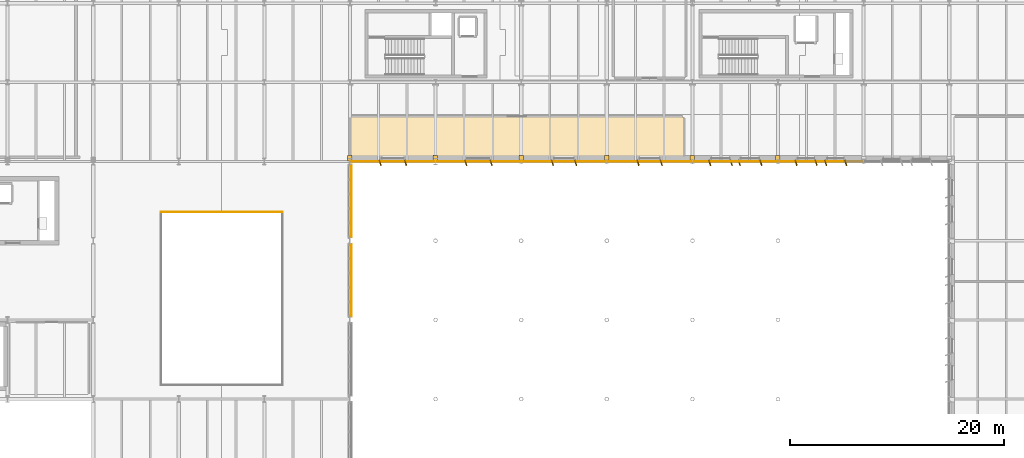
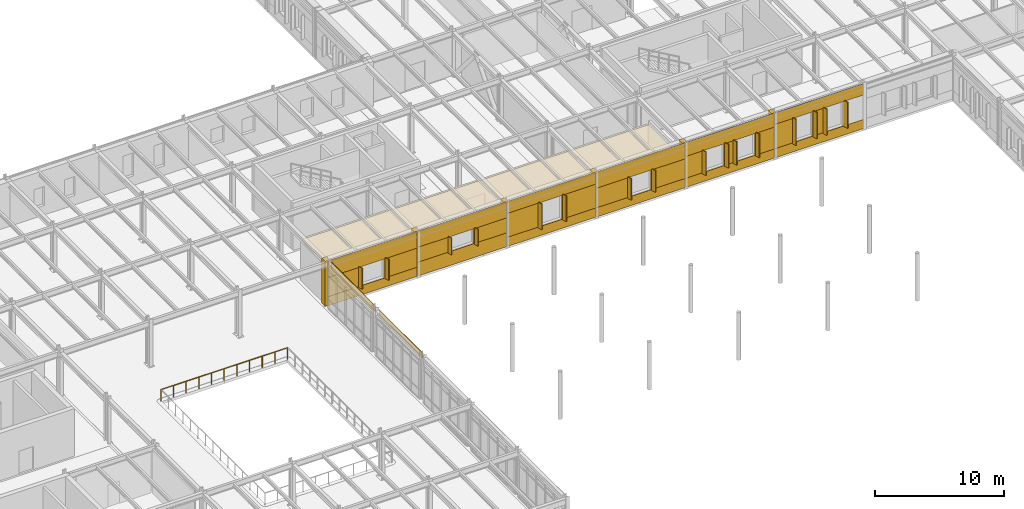
# One storey, part 61 of 75: 50 coverings, 1 railing.
"""IFC4 building model written with IfcOpenShell, lengths in metres."""

import ifcopenshell
import ifcopenshell.guid

model = None  # the IFC model being written
_history = None  # IfcOwnerHistory: only IFC2X3 demands one
_inside = {}  # id of a spatial element -> (the spatial element, [elements in it])
_under = {}  # id of a project, library or spatial element -> (it, [spatial elements below it])
_declared = {}  # id of a project -> (the project, [libraries it declares])
_typed = {}  # id of a type object -> (the type object, [elements of that type])
_made_of = {}  # id of a material, layer set ... -> (it, [elements and type objects made of it])


def new_model(schema):
    """Start an empty IFC model of exactly this schema.

    Asked for "IFC4X3", IfcOpenShell would pick the latest addendum, in which some entities
    have other attributes; the version numbers below select the first issue.
    IFC2X3 requires an IfcOwnerHistory on every rooted entity: one is made here for all.
    """
    global model, _history
    if schema == "IFC4X3":
        model = ifcopenshell.file(schema_version=(4, 3, 0, 0))
    else:
        model = ifcopenshell.file(schema=schema)
    _inside.clear()
    _under.clear()
    _declared.clear()
    _typed.clear()
    _made_of.clear()
    _history = None
    if model.schema == "IFC2X3":
        org = make("IfcOrganization", Name="unknown")
        user = make(
            "IfcPersonAndOrganization",
            ThePerson=make("IfcPerson", FamilyName="unknown"),
            TheOrganization=org,
        )
        app = make(
            "IfcApplication",
            ApplicationDeveloper=org,
            Version="unknown",
            ApplicationFullName="unknown",
            ApplicationIdentifier="unknown",
        )
        _history = make(
            "IfcOwnerHistory",
            OwningUser=user,
            OwningApplication=app,
            ChangeAction="ADDED",
            CreationDate=0,
        )
    return model


def make(cls, **values):
    """One entity of the class cls with the attributes given. An attribute that is None is left unset."""
    return model.create_entity(
        cls, **{name: value for name, value in values.items() if value is not None}
    )


def rooted(cls, **values):
    """An entity with a GlobalId (a new one), such as an element, a storey or a relation."""
    return make(cls, GlobalId=ifcopenshell.guid.new(), OwnerHistory=_history, **values)


def si_unit(unit_type, name, prefix=None):
    """IfcSIUnit, for example si_unit("LENGTHUNIT", "METRE", prefix="MILLI")."""
    return make("IfcSIUnit", UnitType=unit_type, Prefix=prefix, Name=name)


def assignment(units):
    """IfcUnitAssignment: the units of a project."""
    return None if units is None else make("IfcUnitAssignment", Units=units)


def point(xyz):
    """IfcCartesianPoint."""
    return None if xyz is None else make("IfcCartesianPoint", Coordinates=xyz)


def direction(xyz):
    """IfcDirection."""
    return None if xyz is None else make("IfcDirection", DirectionRatios=xyz)


def frame(location, z_axis=None, x_axis=None):
    """IfcAxis2Placement3D, a coordinate frame: its origin and axes. An axis left out is left unset."""
    return make(
        "IfcAxis2Placement3D",
        Location=point(location),
        Axis=direction(z_axis),
        RefDirection=direction(x_axis),
    )


def frame_2d(location, x_axis=None):
    """IfcAxis2Placement2D, a coordinate frame in the plane: its origin and x axis."""
    return make(
        "IfcAxis2Placement2D", Location=point(location), RefDirection=direction(x_axis)
    )


def origin():
    """The frame at (0, 0, 0) with its axes left unset."""
    return frame((0.0, 0.0, 0.0))


def origin_2d():
    """The frame at (0, 0) in the plane with its x axis left unset."""
    return frame_2d((0.0, 0.0))


def place(relative_to, where):
    """IfcLocalPlacement: puts the frame where relative to a parent placement (None: the world)."""
    return make(
        "IfcLocalPlacement", PlacementRelTo=relative_to, RelativePlacement=where
    )


def context(
    kind, dimensions, precision=None, world=None, true_north=None, identifier=None
):
    """IfcGeometricRepresentationContext, for example the 3D "Model" context."""
    return make(
        "IfcGeometricRepresentationContext",
        ContextIdentifier=identifier,
        ContextType=kind,
        CoordinateSpaceDimension=dimensions,
        Precision=precision,
        WorldCoordinateSystem=world,
        TrueNorth=true_north,
    )


def subcontext(parent, identifier, kind, view, scale=None):
    """IfcGeometricRepresentationSubContext, for example "Body" below "Model"."""
    return make(
        "IfcGeometricRepresentationSubContext",
        ContextIdentifier=identifier,
        ContextType=kind,
        ParentContext=parent,
        TargetScale=scale,
        TargetView=view,
    )


def project(units=None, contexts=None):
    """IfcProject with its units and contexts."""
    return rooted(
        "IfcProject",
        Name="project",
        RepresentationContexts=contexts,
        UnitsInContext=assignment(units),
    )


def spatial(cls, under=None, at=None, **own):
    """A site, building, storey or space (cls), placed at a placement, below another one or the project."""
    s = rooted(cls, ObjectPlacement=at, **own)
    if under is not None:
        _under.setdefault(under.id(), (under, []))[1].append(s)
    return s


def polyline(points):
    """IfcPolyline through the points."""
    return make("IfcPolyline", Points=[point(p) for p in points])


def profile(cls, at=None, kind="AREA", **sizes):
    """A parametric profile (cls). Its sizes go by their IFC names, for example OverallWidth=200.0."""
    return make(cls, ProfileType=kind, Position=at, **sizes)


def rectangle(**sizes):
    """IfcRectangleProfileDef."""
    return profile("IfcRectangleProfileDef", **sizes)


def circle(**sizes):
    """IfcCircleProfileDef."""
    return profile("IfcCircleProfileDef", **sizes)


def outline(outer, holes=None, kind="AREA"):
    """IfcArbitraryClosedProfileDef: a profile drawn as a closed curve; with holes, ...WithVoids."""
    if holes is None:
        return make("IfcArbitraryClosedProfileDef", ProfileType=kind, OuterCurve=outer)
    return make(
        "IfcArbitraryProfileDefWithVoids",
        ProfileType=kind,
        OuterCurve=outer,
        InnerCurves=holes,
    )


def extrude(swept, where, along, depth):
    """IfcExtrudedAreaSolid: the profile swept, set in the frame where, extruded along a direction by depth."""
    return make(
        "IfcExtrudedAreaSolid",
        SweptArea=swept,
        Position=where,
        ExtrudedDirection=direction(along),
        Depth=depth,
    )


def shape(context_of_items, identifier, shape_type, items):
    """IfcShapeRepresentation: the items that make up one representation, for example the "Body"."""
    return make(
        "IfcShapeRepresentation",
        ContextOfItems=context_of_items,
        RepresentationIdentifier=identifier,
        RepresentationType=shape_type,
        Items=items,
    )


def material(Name=None, Category=None):
    """IfcMaterial."""
    return make("IfcMaterial", Name=Name, Category=Category)


def layer(
    of_material, thickness, ventilated=None, Name=None, Category=None, Priority=None
):
    """IfcMaterialLayer: one layer of a wall or slab, of a material (None: an air gap)."""
    return make(
        "IfcMaterialLayer",
        Material=of_material,
        LayerThickness=thickness,
        IsVentilated=ventilated,
        Name=Name,
        Category=Category,
        Priority=Priority,
    )


def layer_set(layers, Name=None):
    """IfcMaterialLayerSet."""
    return make("IfcMaterialLayerSet", MaterialLayers=layers, LayerSetName=Name)


def made_of(thing, what):
    """Note that an element or type object is made of a material, layer set ...; save() writes the relation."""
    if what is not None:
        _made_of.setdefault(what.id(), (what, []))[1].append(thing)
    return thing


def type_object(cls, material=None, **own):
    """A type object (cls), such as IfcWallType, which elements share."""
    return made_of(rooted(cls, **own), material)


def element(
    cls,
    number,
    at=None,
    inside=None,
    cuts=None,
    type_object=None,
    material=None,
    context=None,
    identifier="Body",
    shape_type=None,
    held_by="IfcProductDefinitionShape",
    body=None,
    shapes=None,
    **own,
):
    """One element of the class cls, such as IfcWall. Its Tag is "e" and its number.

    at: its placement. inside: the storey or other place that contains it. cuts: it is an
    opening in that element (IfcRelVoidsElement). A single representation is given by context,
    identifier, shape_type and body (its items); several are given by shapes. held_by: the class
    of the entity that holds the representations. save() writes the other relations.
    """
    e = rooted(cls, Tag="e%d" % number, ObjectPlacement=at, **own)
    if body is not None:
        shapes = [shape(context, identifier, shape_type, body)]
    if shapes is not None:
        e.Representation = make(held_by, Representations=shapes)
    if inside is not None:
        _inside.setdefault(inside.id(), (inside, []))[1].append(e)
    if cuts is not None:
        rooted(
            "IfcRelVoidsElement", RelatingBuildingElement=cuts, RelatedOpeningElement=e
        )
    if type_object is not None:
        _typed.setdefault(type_object.id(), (type_object, []))[1].append(e)
    return made_of(e, material)


def aggregate(whole, parts):
    """IfcRelAggregates: a whole, such as a stair, and the parts it consists of."""
    return rooted("IfcRelAggregates", RelatingObject=whole, RelatedObjects=parts)


def save(model, path):
    """Write the relations noted so far, then the file.

    IfcRelAggregates (storeys below a building ...), IfcRelContainedInSpatialStructure (elements
    in a storey), IfcRelDefinesByType, IfcRelAssociatesMaterial and IfcRelDeclares: one each for
    every whole, place, type object, material and project.
    """
    for whole, parts in _under.values():
        aggregate(whole, parts)
    for where, things in _inside.values():
        rooted(
            "IfcRelContainedInSpatialStructure",
            RelatedElements=things,
            RelatingStructure=where,
        )
    for kind, things in _typed.values():
        rooted("IfcRelDefinesByType", RelatedObjects=things, RelatingType=kind)
    for what, things in _made_of.values():
        rooted("IfcRelAssociatesMaterial", RelatedObjects=things, RelatingMaterial=what)
    for by, libraries in _declared.values():
        rooted("IfcRelDeclares", RelatingContext=by, RelatedDefinitions=libraries)
    model.write(path)


model = new_model("IFC4")

# Units and contexts
model_context = context("Model", 3, precision=1e-05, world=origin(), true_north=direction((0.0, 1.0)))
body_context = subcontext(model_context, "Body", "Model", "MODEL_VIEW")
ifc_project = project(units=[si_unit("LENGTHUNIT", "METRE"), si_unit("AREAUNIT", "SQUARE_METRE"), si_unit("VOLUMEUNIT", "CUBIC_METRE"), si_unit("PLANEANGLEUNIT", "RADIAN"), si_unit("MASSUNIT", "GRAM", prefix="KILO")], contexts=[model_context])

# Site, building, storey
site_placement = place(None, origin())
site = spatial("IfcSite", under=ifc_project, at=site_placement, CompositionType="ELEMENT")
building_placement = place(site_placement, origin())
building = spatial("IfcBuilding", under=site, at=building_placement, Name="Valkorina Park Police Headquarters", CompositionType="ELEMENT")
storey_placement = place(building_placement, frame((0.0, 0.0, 5.39990234375)))
storey = spatial("IfcBuildingStorey", under=building, at=storey_placement, Name="L02", CompositionType="ELEMENT", Elevation=5.39990234375)

# Coverings
ifc_material_1 = material(Name="Acoustic mineral board")
ifc_layer_1 = layer(ifc_material_1, 0.02490234375)
ifc_layer_set_1 = layer_set([ifc_layer_1], Name="Acoustic mineral board")
covering_type_1 = type_object("IfcCoveringType", Name="COV-CEILING-ACOUST", PredefinedType="CEILING", material=ifc_layer_set_1)
covering_1_placement = place(storey_placement, frame((0.0, 0.0, 3.72509765625)))
element("IfcCovering", 1, at=covering_1_placement, inside=storey, type_object=covering_type_1, Name="Modular Dual-Bus UPS Suite A and B Acoustic Suspended Ceiling", PredefinedType="CEILING", context=body_context, shape_type="SweptSolid", body=[
    extrude(outline(polyline([(111.95849609375, 59.704345703125), (111.959716796875, 59.712158203125), (111.9599609375, 59.719970703125), (111.9599609375, 63.280029296875), (111.959716796875, 63.287841796875), (111.95849609375, 63.295654296875), (111.95654296875, 63.30322265625), (111.953857421875, 63.310546875), (111.95068359375, 63.317626953125), (111.946533203125, 63.324462890625), (111.94189453125, 63.330810546875), (111.9365234375, 63.336669921875), (111.930908203125, 63.341796875), (111.92431640625, 63.346435546875), (111.917724609375, 63.3505859375), (111.91064453125, 63.35400390625), (111.9033203125, 63.356689453125), (111.8955078125, 63.3583984375), (111.8876953125, 63.359619140625), (111.8798828125, 63.360107421875), (80.919921875, 63.360107421875), (80.912109375, 63.359619140625), (80.904296875, 63.3583984375), (80.896728515625, 63.356689453125), (80.889404296875, 63.35400390625), (80.88232421875, 63.3505859375), (80.87548828125, 63.346435546875), (80.869140625, 63.341796875), (80.86328125, 63.336669921875), (80.858154296875, 63.330810546875), (80.853515625, 63.324462890625), (80.849365234375, 63.317626953125), (80.84619140625, 63.310546875), (80.843505859375, 63.30322265625), (80.841552734375, 63.295654296875), (80.84033203125, 63.287841796875), (80.840087890625, 63.280029296875), (80.840087890625, 59.719970703125), (80.84033203125, 59.712158203125), (80.841552734375, 59.704345703125), (80.843505859375, 59.69677734375), (80.84619140625, 59.689453125), (80.849365234375, 59.682373046875), (80.853515625, 59.675537109375), (80.858154296875, 59.669189453125), (80.86328125, 59.663330078125), (80.869140625, 59.658203125), (80.87548828125, 59.653564453125), (80.88232421875, 59.6494140625), (80.889404296875, 59.64599609375), (80.896728515625, 59.643310546875), (80.904296875, 59.6416015625), (80.912109375, 59.640380859375), (80.919921875, 59.639892578125), (111.8798828125, 59.639892578125), (111.8876953125, 59.640380859375), (111.8955078125, 59.6416015625), (111.9033203125, 59.643310546875), (111.91064453125, 59.64599609375), (111.917724609375, 59.6494140625), (111.92431640625, 59.653564453125), (111.930908203125, 59.658203125), (111.9365234375, 59.663330078125), (111.94189453125, 59.669189453125), (111.946533203125, 59.675537109375), (111.95068359375, 59.682373046875), (111.953857421875, 59.689453125), (111.95654296875, 59.69677734375), (111.95849609375, 59.704345703125)])), origin(), (0.0, 0.0, 1.0), 0.02490234375),
])
ifc_material_2 = material(Name="Precast concrete C40/50", Category="concrete")
ifc_layer_2 = layer(ifc_material_2, 0.044921875)
ifc_layer_set_2 = layer_set([ifc_layer_2], Name="Precast concrete C40/50")
covering_type_2 = type_object("IfcCoveringType", Name="COV-CLAD-DOLOMITE", PredefinedType="CLADDING", material=ifc_layer_set_2)
covering_2_placement = place(storey_placement, frame((120.7900390625, 59.489990234375, 0.0), z_axis=(0.0, 0.0, 1.0), x_axis=(1.0, 0.0, 0.0)))
element("IfcCovering", 2, at=covering_2_placement, inside=storey, type_object=covering_type_2, Name="L02 Exterior Joint Closure Pilaster B 1657", PredefinedType="CLADDING", context=body_context, shape_type="SweptSolid", body=[
    extrude(rectangle(XDim=0.419921875, YDim=0.52197265625, at=origin_2d()), origin(), (0.0, 0.0, 1.0), 4.239990234375),
])
for number, where, z_axis, x_axis, name in (
    (3, (127.117431640625, 59.080078125, 0.7802734375), (0.0, 0.0, 1.0), (0.317304656405, -0.948323655206, 0.0), "Slanted 18.5-deg Precast Window Slot Fin 1658"),
    (4, (125.247314453125, 59.080078125, 0.7802734375), (0.0, 0.0, 1.0), (0.317304656405, -0.948323655206, 0.0), "Slanted 18.5-deg Precast Window Slot Fin 1659"),
    (5, (124.3525390625, 59.080078125, 0.7802734375), (0.0, 0.0, 1.0), (0.317304656405, -0.948323655206, 0.0), "Slanted 18.5-deg Precast Window Slot Fin 1660"),
    (6, (122.482666015625, 59.080078125, 0.7802734375), (0.0, 0.0, 1.0), (0.317304656405, -0.948323655206, 0.0), "Slanted 18.5-deg Precast Window Slot Fin 1661"),
):
    element("IfcCovering", number, at=place(storey_placement, frame(where, z_axis=z_axis, x_axis=x_axis)), inside=storey, type_object=covering_type_2, Name=name, PredefinedType="CLADDING", context=body_context, shape_type="SweptSolid", body=[
        extrude(rectangle(XDim=0.5400390625, YDim=0.090087890625, at=origin_2d()), origin(), (0.0, 0.0, 1.0), 2.489990234375),
    ])
covering_3_placement = place(storey_placement, frame((128.780029296875, 59.18505859375, 0.0), z_axis=(0.0, 0.0, 1.0), x_axis=(-1.0, 0.0, 0.0)))
element("IfcCovering", 7, at=covering_3_placement, inside=storey, type_object=covering_type_2, Name="L02 Calm Concrete Base Sill Spandrel 1662", PredefinedType="CLADDING", context=body_context, shape_type="SweptSolid", body=[
    extrude(rectangle(XDim=7.9599609375, YDim=0.044921875, at=frame_2d((3.97998046875, 0.0))), origin(), (0.0, 0.0, 1.0), 0.8701171875),
])
covering_4_placement = place(storey_placement, frame((128.780029296875, 59.18505859375, 3.18017578125), z_axis=(0.0, 0.0, 1.0), x_axis=(-1.0, 0.0, 0.0)))
element("IfcCovering", 8, at=covering_4_placement, inside=storey, type_object=covering_type_2, Name="L02 Calm Concrete Base Lintel Spandrel 1663", PredefinedType="CLADDING", context=body_context, shape_type="SweptSolid", body=[
    extrude(rectangle(XDim=7.9599609375, YDim=0.044921875, at=frame_2d((3.97998046875, 0.0))), origin(), (0.0, 0.0, 1.0), 1.059814453125),
])
covering_5_placement = place(storey_placement, frame((125.357421875, 59.18505859375, 0.8701171875), z_axis=(0.0, 0.0, 1.0), x_axis=(-1.0, 0.0, 0.0)))
element("IfcCovering", 9, at=covering_5_placement, inside=storey, type_object=covering_type_2, Name="L02 Calm Concrete Base Slot Pier 1665", PredefinedType="CLADDING", context=body_context, shape_type="SweptSolid", body=[
    extrude(rectangle(XDim=1.11474609375, YDim=0.044921875, at=frame_2d((0.557373046875, 0.0))), origin(), (0.0, 0.0, 1.0), 2.31005859375),
])
covering_6_placement = place(storey_placement, frame((122.592529296875, 59.18505859375, 0.8701171875), z_axis=(0.0, 0.0, 1.0), x_axis=(-1.0, 0.0, 0.0)))
element("IfcCovering", 10, at=covering_6_placement, inside=storey, type_object=covering_type_2, Name="L02 Calm Concrete Base Slot Pier 1666", PredefinedType="CLADDING", context=body_context, shape_type="SweptSolid", body=[
    extrude(rectangle(XDim=1.7724609375, YDim=0.044921875, at=frame_2d((0.88623046875, 0.0))), origin(), (0.0, 0.0, 1.0), 2.31005859375),
])
covering_7_placement = place(storey_placement, frame((112.7900390625, 59.489990234375, 0.0), z_axis=(0.0, 0.0, 1.0), x_axis=(1.0, 0.0, 0.0)))
element("IfcCovering", 11, at=covering_7_placement, inside=storey, type_object=covering_type_2, Name="L02 Exterior Joint Closure Pilaster B 1667", PredefinedType="CLADDING", context=body_context, shape_type="SweptSolid", body=[
    extrude(rectangle(XDim=0.419921875, YDim=0.52197265625, at=origin_2d()), origin(), (0.0, 0.0, 1.0), 4.239990234375),
])
for number, where, z_axis, x_axis, name in (
    (12, (119.1923828125, 59.080078125, 0.7802734375), (0.0, 0.0, 1.0), (0.317304656405, -0.948323655206, 0.0), "Slanted 18.5-deg Precast Window Slot Fin 1668"),
    (13, (117.17236328125, 59.080078125, 0.7802734375), (0.0, 0.0, 1.0), (0.317304656405, -0.948323655206, 0.0), "Slanted 18.5-deg Precast Window Slot Fin 1669"),
    (14, (116.427490234375, 59.080078125, 0.7802734375), (0.0, 0.0, 1.0), (0.317304656405, -0.948323655206, 0.0), "Slanted 18.5-deg Precast Window Slot Fin 1670"),
    (15, (114.40771484375, 59.080078125, 0.7802734375), (0.0, 0.0, 1.0), (0.317304656405, -0.948323655206, 0.0), "Slanted 18.5-deg Precast Window Slot Fin 1671"),
):
    element("IfcCovering", number, at=place(storey_placement, frame(where, z_axis=z_axis, x_axis=x_axis)), inside=storey, type_object=covering_type_2, Name=name, PredefinedType="CLADDING", context=body_context, shape_type="SweptSolid", body=[
        extrude(rectangle(XDim=0.5400390625, YDim=0.090087890625, at=origin_2d()), origin(), (0.0, 0.0, 1.0), 2.239990234375),
    ])
covering_8_placement = place(storey_placement, frame((120.780029296875, 59.18505859375, 0.0), z_axis=(0.0, 0.0, 1.0), x_axis=(-1.0, 0.0, 0.0)))
element("IfcCovering", 16, at=covering_8_placement, inside=storey, type_object=covering_type_2, Name="L02 Calm Concrete Base Sill Spandrel 1672", PredefinedType="CLADDING", context=body_context, shape_type="SweptSolid", body=[
    extrude(rectangle(XDim=7.9599609375, YDim=0.044921875, at=frame_2d((3.97998046875, 0.0))), origin(), (0.0, 0.0, 1.0), 0.8701171875),
])
covering_9_placement = place(storey_placement, frame((120.780029296875, 59.18505859375, 2.93017578125), z_axis=(0.0, 0.0, 1.0), x_axis=(-1.0, 0.0, 0.0)))
element("IfcCovering", 17, at=covering_9_placement, inside=storey, type_object=covering_type_2, Name="L02 Calm Concrete Base Lintel Spandrel 1673", PredefinedType="CLADDING", context=body_context, shape_type="SweptSolid", body=[
    extrude(rectangle(XDim=7.9599609375, YDim=0.044921875, at=frame_2d((3.97998046875, 0.0))), origin(), (0.0, 0.0, 1.0), 1.309814453125),
])
covering_10_placement = place(storey_placement, frame((120.780029296875, 59.18505859375, 0.8701171875), z_axis=(0.0, 0.0, 1.0), x_axis=(-1.0, 0.0, 0.0)))
element("IfcCovering", 18, at=covering_10_placement, inside=storey, type_object=covering_type_2, Name="L02 Calm Concrete Base Slot Pier 1674", PredefinedType="CLADDING", context=body_context, shape_type="SweptSolid", body=[
    extrude(rectangle(XDim=1.697509765625, YDim=0.044921875, at=frame_2d((0.8486328125, 0.0))), origin(), (0.0, 0.0, 1.0), 2.06005859375),
])
covering_11_placement = place(storey_placement, frame((117.282470703125, 59.18505859375, 0.8701171875), z_axis=(0.0, 0.0, 1.0), x_axis=(-1.0, 0.0, 0.0)))
element("IfcCovering", 19, at=covering_11_placement, inside=storey, type_object=covering_type_2, Name="L02 Calm Concrete Base Slot Pier 1675", PredefinedType="CLADDING", context=body_context, shape_type="SweptSolid", body=[
    extrude(rectangle(XDim=0.96484375, YDim=0.044921875, at=frame_2d((0.482421875, 0.0))), origin(), (0.0, 0.0, 1.0), 2.06005859375),
])
covering_12_placement = place(storey_placement, frame((114.517578125, 59.18505859375, 0.8701171875), z_axis=(0.0, 0.0, 1.0), x_axis=(-1.0, 0.0, 0.0)))
element("IfcCovering", 20, at=covering_12_placement, inside=storey, type_object=covering_type_2, Name="L02 Calm Concrete Base Slot Pier 1676", PredefinedType="CLADDING", context=body_context, shape_type="SweptSolid", body=[
    extrude(rectangle(XDim=1.697509765625, YDim=0.044921875, at=frame_2d((0.8486328125, 0.0))), origin(), (0.0, 0.0, 1.0), 2.06005859375),
])
covering_13_placement = place(storey_placement, frame((104.7900390625, 59.489990234375, 0.0), z_axis=(0.0, 0.0, 1.0), x_axis=(1.0, 0.0, 0.0)))
element("IfcCovering", 21, at=covering_13_placement, inside=storey, type_object=covering_type_2, Name="L02 Exterior Joint Closure Pilaster B 1677", PredefinedType="CLADDING", context=body_context, shape_type="SweptSolid", body=[
    extrude(rectangle(XDim=0.419921875, YDim=0.52197265625, at=origin_2d()), origin(), (0.0, 0.0, 1.0), 4.239990234375),
])
for number, where, z_axis, x_axis, name in (
    (22, (109.885009765625, 59.080078125, 0.780029296875), (0.0, 0.0, 1.0), (0.317304656405, -0.948323655206, 0.0), "Slanted 18.5-deg Precast Window Slot Fin 1678"),
    (23, (107.715087890625, 59.080078125, 0.780029296875), (0.0, 0.0, 1.0), (0.317304656405, -0.948323655206, 0.0), "Slanted 18.5-deg Precast Window Slot Fin 1679"),
):
    element("IfcCovering", number, at=place(storey_placement, frame(where, z_axis=z_axis, x_axis=x_axis)), inside=storey, type_object=covering_type_2, Name=name, PredefinedType="CLADDING", context=body_context, shape_type="SweptSolid", body=[
        extrude(rectangle(XDim=0.5400390625, YDim=0.090087890625, at=origin_2d()), origin(), (0.0, 0.0, 1.0), 2.0400390625),
    ])
covering_14_placement = place(storey_placement, frame((112.780029296875, 59.18505859375, 0.0), z_axis=(0.0, 0.0, 1.0), x_axis=(-1.0, 0.0, 0.0)))
element("IfcCovering", 24, at=covering_14_placement, inside=storey, type_object=covering_type_2, Name="L02 Calm Concrete Base Sill Spandrel 1680", PredefinedType="CLADDING", context=body_context, shape_type="SweptSolid", body=[
    extrude(rectangle(XDim=7.9599609375, YDim=0.044921875, at=frame_2d((3.97998046875, 0.0))), origin(), (0.0, 0.0, 1.0), 0.8701171875),
])
covering_15_placement = place(storey_placement, frame((112.780029296875, 59.18505859375, 2.72998046875), z_axis=(0.0, 0.0, 1.0), x_axis=(-1.0, 0.0, 0.0)))
element("IfcCovering", 25, at=covering_15_placement, inside=storey, type_object=covering_type_2, Name="L02 Calm Concrete Base Lintel Spandrel 1681", PredefinedType="CLADDING", context=body_context, shape_type="SweptSolid", body=[
    extrude(rectangle(XDim=7.9599609375, YDim=0.044921875, at=frame_2d((3.97998046875, 0.0))), origin(), (0.0, 0.0, 1.0), 1.510009765625),
])
covering_16_placement = place(storey_placement, frame((112.780029296875, 59.18505859375, 0.8701171875), z_axis=(0.0, 0.0, 1.0), x_axis=(-1.0, 0.0, 0.0)))
element("IfcCovering", 26, at=covering_16_placement, inside=storey, type_object=covering_type_2, Name="L02 Calm Concrete Base Slot Pier 1682", PredefinedType="CLADDING", context=body_context, shape_type="SweptSolid", body=[
    extrude(rectangle(XDim=3.005126953125, YDim=0.044921875, at=frame_2d((1.50244140625, 0.0))), origin(), (0.0, 0.0, 1.0), 1.85986328125),
])
covering_17_placement = place(storey_placement, frame((107.824951171875, 59.18505859375, 0.8701171875), z_axis=(0.0, 0.0, 1.0), x_axis=(-1.0, 0.0, 0.0)))
element("IfcCovering", 27, at=covering_17_placement, inside=storey, type_object=covering_type_2, Name="L02 Calm Concrete Base Slot Pier 1683", PredefinedType="CLADDING", context=body_context, shape_type="SweptSolid", body=[
    extrude(rectangle(XDim=3.0048828125, YDim=0.044921875, at=frame_2d((1.50244140625, 0.0))), origin(), (0.0, 0.0, 1.0), 1.85986328125),
])
covering_18_placement = place(storey_placement, frame((96.7900390625, 59.489990234375, 0.0), z_axis=(0.0, 0.0, 1.0), x_axis=(1.0, 0.0, 0.0)))
element("IfcCovering", 28, at=covering_18_placement, inside=storey, type_object=covering_type_2, Name="L02 Exterior Joint Closure Pilaster B 1684", PredefinedType="CLADDING", context=body_context, shape_type="SweptSolid", body=[
    extrude(rectangle(XDim=0.419921875, YDim=0.52197265625, at=origin_2d()), origin(), (0.0, 0.0, 1.0), 4.239990234375),
])
for number, where, z_axis, x_axis, name in (
    (29, (101.885009765625, 59.080078125, 0.780029296875), (0.0, 0.0, 1.0), (0.317304656405, -0.948323655206, 0.0), "Slanted 18.5-deg Precast Window Slot Fin 1685"),
    (30, (99.715087890625, 59.080078125, 0.780029296875), (0.0, 0.0, 1.0), (0.317304656405, -0.948323655206, 0.0), "Slanted 18.5-deg Precast Window Slot Fin 1686"),
):
    element("IfcCovering", number, at=place(storey_placement, frame(where, z_axis=z_axis, x_axis=x_axis)), inside=storey, type_object=covering_type_2, Name=name, PredefinedType="CLADDING", context=body_context, shape_type="SweptSolid", body=[
        extrude(rectangle(XDim=0.5400390625, YDim=0.090087890625, at=origin_2d()), origin(), (0.0, 0.0, 1.0), 2.43994140625),
    ])
covering_19_placement = place(storey_placement, frame((104.780029296875, 59.18505859375, 0.0), z_axis=(0.0, 0.0, 1.0), x_axis=(-1.0, 0.0, 0.0)))
element("IfcCovering", 31, at=covering_19_placement, inside=storey, type_object=covering_type_2, Name="L02 Calm Concrete Base Sill Spandrel 1687", PredefinedType="CLADDING", context=body_context, shape_type="SweptSolid", body=[
    extrude(rectangle(XDim=7.9599609375, YDim=0.044921875, at=frame_2d((3.97998046875, 0.0))), origin(), (0.0, 0.0, 1.0), 0.8701171875),
])
covering_20_placement = place(storey_placement, frame((104.780029296875, 59.18505859375, 3.130126953125), z_axis=(0.0, 0.0, 1.0), x_axis=(-1.0, 0.0, 0.0)))
element("IfcCovering", 32, at=covering_20_placement, inside=storey, type_object=covering_type_2, Name="L02 Calm Concrete Base Lintel Spandrel 1688", PredefinedType="CLADDING", context=body_context, shape_type="SweptSolid", body=[
    extrude(rectangle(XDim=7.9599609375, YDim=0.044921875, at=frame_2d((3.97998046875, 0.0))), origin(), (0.0, 0.0, 1.0), 1.10986328125),
])
covering_21_placement = place(storey_placement, frame((104.780029296875, 59.18505859375, 0.8701171875), z_axis=(0.0, 0.0, 1.0), x_axis=(-1.0, 0.0, 0.0)))
element("IfcCovering", 33, at=covering_21_placement, inside=storey, type_object=covering_type_2, Name="L02 Calm Concrete Base Slot Pier 1689", PredefinedType="CLADDING", context=body_context, shape_type="SweptSolid", body=[
    extrude(rectangle(XDim=3.005126953125, YDim=0.044921875, at=frame_2d((1.50244140625, 0.0))), origin(), (0.0, 0.0, 1.0), 2.260009765625),
])
covering_22_placement = place(storey_placement, frame((99.824951171875, 59.18505859375, 0.8701171875), z_axis=(0.0, 0.0, 1.0), x_axis=(-1.0, 0.0, 0.0)))
element("IfcCovering", 34, at=covering_22_placement, inside=storey, type_object=covering_type_2, Name="L02 Calm Concrete Base Slot Pier 1690", PredefinedType="CLADDING", context=body_context, shape_type="SweptSolid", body=[
    extrude(rectangle(XDim=3.0048828125, YDim=0.044921875, at=frame_2d((1.50244140625, 0.0))), origin(), (0.0, 0.0, 1.0), 2.260009765625),
])
covering_23_placement = place(storey_placement, frame((88.7900390625, 59.489990234375, 0.0), z_axis=(0.0, 0.0, 1.0), x_axis=(1.0, 0.0, 0.0)))
element("IfcCovering", 35, at=covering_23_placement, inside=storey, type_object=covering_type_2, Name="L02 Exterior Joint Closure Pilaster B 1691", PredefinedType="CLADDING", context=body_context, shape_type="SweptSolid", body=[
    extrude(rectangle(XDim=0.419921875, YDim=0.52197265625, at=origin_2d()), origin(), (0.0, 0.0, 1.0), 4.239990234375),
])
for number, where, z_axis, x_axis, name in (
    (36, (93.985107421875, 59.080078125, 1.22998046875), (0.0, 0.0, 1.0), (0.317304656405, -0.948323655206, 0.0), "Slanted 18.5-deg Precast Window Slot Fin 1692"),
    (37, (91.614990234375, 59.080078125, 1.22998046875), (0.0, 0.0, 1.0), (0.317304656405, -0.948323655206, 0.0), "Slanted 18.5-deg Precast Window Slot Fin 1693"),
):
    element("IfcCovering", number, at=place(storey_placement, frame(where, z_axis=z_axis, x_axis=x_axis)), inside=storey, type_object=covering_type_2, Name=name, PredefinedType="CLADDING", context=body_context, shape_type="SweptSolid", body=[
        extrude(rectangle(XDim=0.5400390625, YDim=0.090087890625, at=origin_2d()), origin(), (0.0, 0.0, 1.0), 1.590087890625),
    ])
covering_24_placement = place(storey_placement, frame((96.780029296875, 59.18505859375, 0.0), z_axis=(0.0, 0.0, 1.0), x_axis=(-1.0, 0.0, 0.0)))
element("IfcCovering", 38, at=covering_24_placement, inside=storey, type_object=covering_type_2, Name="L02 Calm Concrete Base Sill Spandrel 1694", PredefinedType="CLADDING", context=body_context, shape_type="SweptSolid", body=[
    extrude(rectangle(XDim=7.9599609375, YDim=0.044921875, at=frame_2d((3.97998046875, 0.0))), origin(), (0.0, 0.0, 1.0), 1.320068359375),
])
covering_25_placement = place(storey_placement, frame((96.780029296875, 59.18505859375, 2.72998046875), z_axis=(0.0, 0.0, 1.0), x_axis=(-1.0, 0.0, 0.0)))
element("IfcCovering", 39, at=covering_25_placement, inside=storey, type_object=covering_type_2, Name="L02 Calm Concrete Base Lintel Spandrel 1695", PredefinedType="CLADDING", context=body_context, shape_type="SweptSolid", body=[
    extrude(rectangle(XDim=7.9599609375, YDim=0.044921875, at=frame_2d((3.97998046875, 0.0))), origin(), (0.0, 0.0, 1.0), 1.510009765625),
])
for number, where, z_axis, x_axis, name in (
    (40, (96.780029296875, 59.18505859375, 1.320068359375), (0.0, 0.0, 1.0), (-1.0, 0.0, 0.0), "L02 Calm Concrete Base Slot Pier 1696"),
    (41, (91.72509765625, 59.18505859375, 1.320068359375), (0.0, 0.0, 1.0), (-1.0, 0.0, 0.0), "L02 Calm Concrete Base Slot Pier 1697"),
):
    element("IfcCovering", number, at=place(storey_placement, frame(where, z_axis=z_axis, x_axis=x_axis)), inside=storey, type_object=covering_type_2, Name=name, PredefinedType="CLADDING", context=body_context, shape_type="SweptSolid", body=[
        extrude(rectangle(XDim=2.905029296875, YDim=0.044921875, at=frame_2d((1.45263671875, 0.0))), origin(), (0.0, 0.0, 1.0), 1.409912109375),
    ])
covering_26_placement = place(storey_placement, frame((80.7900390625, 59.489990234375, 0.0), z_axis=(0.0, 0.0, 1.0), x_axis=(1.0, 0.0, 0.0)))
element("IfcCovering", 42, at=covering_26_placement, inside=storey, type_object=covering_type_2, Name="L02 Exterior Joint Closure Pilaster B 1698", PredefinedType="CLADDING", context=body_context, shape_type="SweptSolid", body=[
    extrude(rectangle(XDim=0.419921875, YDim=0.52197265625, at=origin_2d()), origin(), (0.0, 0.0, 1.0), 4.239990234375),
])
for number, where, z_axis, x_axis, name in (
    (43, (85.985107421875, 59.080078125, 0.7802734375), (0.0, 0.0, 1.0), (0.317304656405, -0.948323655206, 0.0), "Slanted 18.5-deg Precast Window Slot Fin 1699"),
    (44, (83.614990234375, 59.080078125, 0.7802734375), (0.0, 0.0, 1.0), (0.317304656405, -0.948323655206, 0.0), "Slanted 18.5-deg Precast Window Slot Fin 1700"),
):
    element("IfcCovering", number, at=place(storey_placement, frame(where, z_axis=z_axis, x_axis=x_axis)), inside=storey, type_object=covering_type_2, Name=name, PredefinedType="CLADDING", context=body_context, shape_type="SweptSolid", body=[
        extrude(rectangle(XDim=0.5400390625, YDim=0.090087890625, at=origin_2d()), origin(), (0.0, 0.0, 1.0), 1.989990234375),
    ])
covering_27_placement = place(storey_placement, frame((88.780029296875, 59.18505859375, 0.0), z_axis=(0.0, 0.0, 1.0), x_axis=(-1.0, 0.0, 0.0)))
element("IfcCovering", 45, at=covering_27_placement, inside=storey, type_object=covering_type_2, Name="L02 Calm Concrete Base Sill Spandrel 1701", PredefinedType="CLADDING", context=body_context, shape_type="SweptSolid", body=[
    extrude(rectangle(XDim=7.9599609375, YDim=0.044921875, at=frame_2d((3.97998046875, 0.0))), origin(), (0.0, 0.0, 1.0), 0.8701171875),
])
covering_28_placement = place(storey_placement, frame((88.780029296875, 59.18505859375, 2.68017578125), z_axis=(0.0, 0.0, 1.0), x_axis=(-1.0, 0.0, 0.0)))
element("IfcCovering", 46, at=covering_28_placement, inside=storey, type_object=covering_type_2, Name="L02 Calm Concrete Base Lintel Spandrel 1702", PredefinedType="CLADDING", context=body_context, shape_type="SweptSolid", body=[
    extrude(rectangle(XDim=7.9599609375, YDim=0.044921875, at=frame_2d((3.97998046875, 0.0))), origin(), (0.0, 0.0, 1.0), 1.559814453125),
])
for number, where, z_axis, x_axis, name in (
    (47, (88.780029296875, 59.18505859375, 0.8701171875), (0.0, 0.0, 1.0), (-1.0, 0.0, 0.0), "L02 Calm Concrete Base Slot Pier 1703"),
    (48, (83.72509765625, 59.18505859375, 0.8701171875), (0.0, 0.0, 1.0), (-1.0, 0.0, 0.0), "L02 Calm Concrete Base Slot Pier 1704"),
):
    element("IfcCovering", number, at=place(storey_placement, frame(where, z_axis=z_axis, x_axis=x_axis)), inside=storey, type_object=covering_type_2, Name=name, PredefinedType="CLADDING", context=body_context, shape_type="SweptSolid", body=[
        extrude(rectangle(XDim=2.905029296875, YDim=0.044921875, at=frame_2d((1.45263671875, 0.0))), origin(), (0.0, 0.0, 1.0), 1.81005859375),
    ])
covering_29_placement = place(storey_placement, frame((80.9599609375, 58.889892578125, 3.68017578125), z_axis=(0.0, 0.0, 1.0), x_axis=(0.0, -1.0, 0.0)))
element("IfcCovering", 49, at=covering_29_placement, inside=storey, type_object=covering_type_2, Name="L02 Spandrel Beam Insulated Fascia 1705", PredefinedType="CLADDING", context=body_context, shape_type="SweptSolid", body=[
    extrude(rectangle(XDim=6.77978515625, YDim=0.044921875, at=frame_2d((3.389892578125, 0.0))), origin(), (0.0, 0.0, 1.0), 0.559814453125),
])
covering_30_placement = place(storey_placement, frame((80.9599609375, 51.489990234375, 3.739990234375), z_axis=(0.0, 0.0, 1.0), x_axis=(0.0, -1.0, 0.0)))
element("IfcCovering", 50, at=covering_30_placement, inside=storey, type_object=covering_type_2, Name="L02 Spandrel Beam Insulated Fascia 1706", PredefinedType="CLADDING", context=body_context, shape_type="SweptSolid", body=[
    extrude(rectangle(XDim=6.780029296875, YDim=0.044921875, at=frame_2d((3.39013671875, 0.0))), origin(), (0.0, 0.0, 1.0), 0.5),
])

# Railing
ifc_material_3 = material(Name="Stainless steel EN 1.4404", Category="steel")
railing_type = type_object("IfcRailingType", Name="RL-GUARD-INT-1100", PredefinedType="BALUSTRADE", material=ifc_material_3)
railing_placement = place(storey_placement, frame((74.47998046875, 54.47998046875, 0.0)))
element("IfcRailing", 51, at=railing_placement, inside=storey, type_object=railing_type, Name="L02 Winter Concourse Atrium Balustrade 3", PredefinedType="BALUSTRADE", context=body_context, shape_type="SweptSolid", body=[
    extrude(circle(Radius=0.02392578125, at=origin_2d()), frame((0.0, 0.0, 1.09619140625), z_axis=(-1.0, 0.0, 0.0), x_axis=(0.0, -1.0, 0.0)), (0.0, 0.0, 1.0), 11.35986328125),
    extrude(circle(Radius=0.02099609375, at=origin_2d()), origin(), (0.0, 0.0, 1.0), 1.072021484375),
    extrude(circle(Radius=0.02099609375, at=origin_2d()), frame((-1.135986328125, 0.0, 0.0)), (0.0, 0.0, 1.0), 1.072021484375),
    extrude(circle(Radius=0.02099609375, at=origin_2d()), frame((-2.27197265625, 0.0, 0.0)), (0.0, 0.0, 1.0), 1.072021484375),
    extrude(circle(Radius=0.02099609375, at=origin_2d()), frame((-3.407958984375, 0.0, 0.0)), (0.0, 0.0, 1.0), 1.072021484375),
    extrude(circle(Radius=0.02099609375, at=origin_2d()), frame((-4.5439453125, 0.0, 0.0)), (0.0, 0.0, 1.0), 1.072021484375),
    extrude(circle(Radius=0.02099609375, at=origin_2d()), frame((-5.679931640625, 0.0, 0.0)), (0.0, 0.0, 1.0), 1.072021484375),
    extrude(circle(Radius=0.02099609375, at=origin_2d()), frame((-6.81591796875, 0.0, 0.0)), (0.0, 0.0, 1.0), 1.072021484375),
    extrude(circle(Radius=0.02099609375, at=origin_2d()), frame((-7.951904296875, 0.0, 0.0)), (0.0, 0.0, 1.0), 1.072021484375),
    extrude(circle(Radius=0.02099609375, at=origin_2d()), frame((-9.087890625, 0.0, 0.0)), (0.0, 0.0, 1.0), 1.072021484375),
    extrude(circle(Radius=0.02099609375, at=origin_2d()), frame((-10.223876953125, 0.0, 0.0)), (0.0, 0.0, 1.0), 1.072021484375),
    extrude(circle(Radius=0.02099609375, at=origin_2d()), frame((-11.35986328125, 0.0, 0.0)), (0.0, 0.0, 1.0), 1.072021484375),
])

save(model, "model.ifc")
